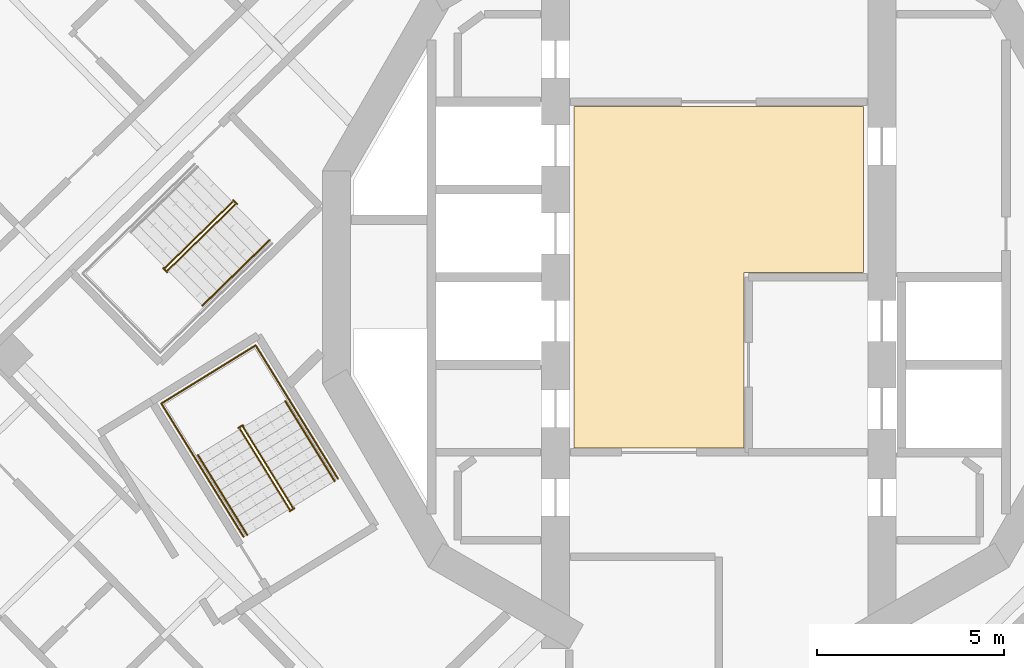
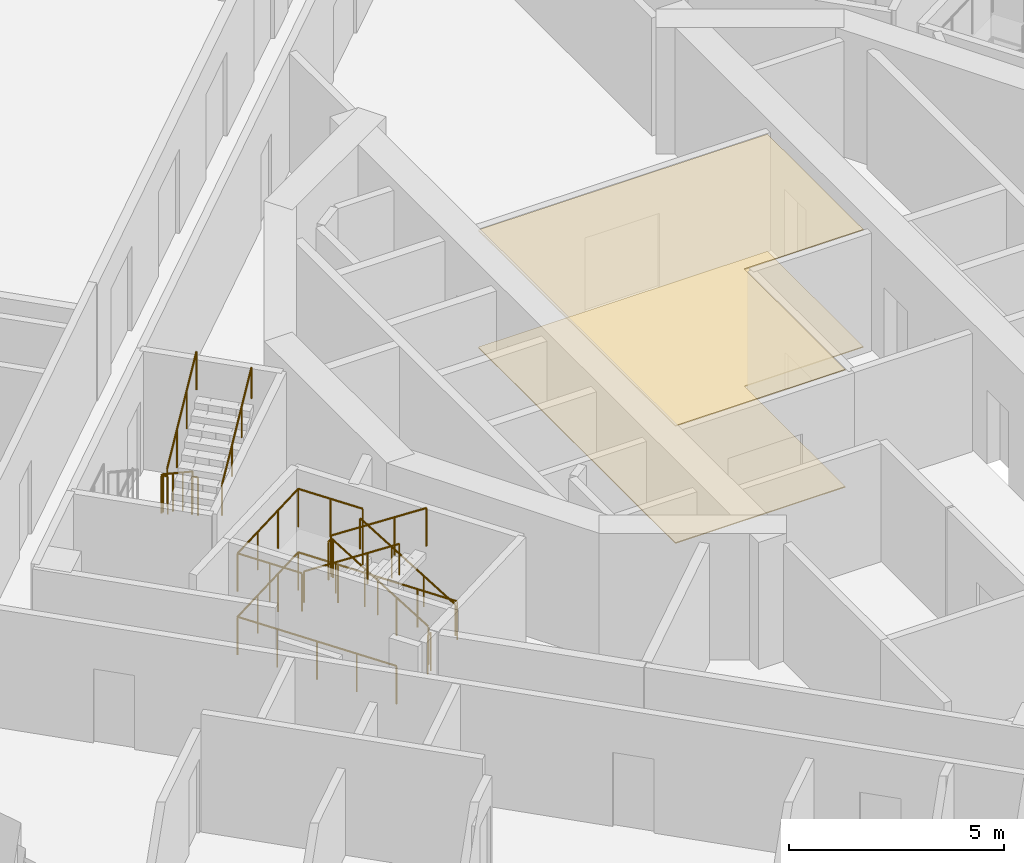
# One storey, part 14 of 19: 11 railings, 2 coverings.
"""IFC4 building model written with IfcOpenShell, lengths in metres."""

from ifc_helpers import new_model, si_unit, direction, frame, origin, origin_2d, place, context, subcontext, project, spatial, polyline, circle, outline, extrude, material, layer, layer_set, type_object, element, save


model = new_model("IFC4")

# Units and contexts
model_context = context("Model", 3, precision=1e-05, world=origin(), true_north=direction((0.0, 1.0)))
body_context = subcontext(model_context, "Body", "Model", "MODEL_VIEW")
ifc_project = project(units=[si_unit("LENGTHUNIT", "METRE"), si_unit("AREAUNIT", "SQUARE_METRE"), si_unit("VOLUMEUNIT", "CUBIC_METRE"), si_unit("PLANEANGLEUNIT", "RADIAN"), si_unit("MASSUNIT", "GRAM", prefix="KILO")], contexts=[model_context])

# Site, building, storey
site_placement = place(None, origin())
site = spatial("IfcSite", under=ifc_project, at=site_placement, CompositionType="ELEMENT")
building_placement = place(site_placement, origin())
building = spatial("IfcBuilding", under=site, at=building_placement, Name="Cantera Rosa Tower", CompositionType="ELEMENT")
storey_placement = place(building_placement, frame((0.0, 0.0, 216.199951171875)))
storey = spatial("IfcBuildingStorey", under=building, at=storey_placement, Name="L46", CompositionType="ELEMENT", Elevation=216.199951171875)

# Railings
ifc_material_1 = material(Name="Steel S355J2 (EN 10025-2)", Category="steel")
railing_type_1 = type_object("IfcRailingType", Name="STAIR GUARD 1100", PredefinedType="GUARDRAIL", material=ifc_material_1)
railing_1_placement = place(storey_placement, frame((-13.032958984375, 2.013427734375, 0.179931640625)))
element("IfcRailing", 1, at=railing_1_placement, inside=storey, type_object=railing_type_1, Name="L46 ST-43 stair guard 1", PredefinedType="GUARDRAIL", context=body_context, shape_type="SweptSolid", body=[
    extrude(circle(Radius=0.02392578125, at=origin_2d()), frame((0.0, 0.0, 1.076171875), z_axis=(-0.601672219931, -0.587818193466, 0.54079599776), x_axis=(0.698823692472, -0.715293958342, 0.0)), (0.0, 0.0, 1.0), 2.995849609375),
    extrude(circle(Radius=0.02392578125, at=origin_2d()), frame((-1.802490234375, -1.760986328125, 2.6962890625), z_axis=(-0.956987977523, -0.290127576896, 0.0), x_axis=(0.290127576896, -0.956987977523, 0.0)), (0.0, 0.0, 1.0), 0.056396484375),
    extrude(circle(Radius=0.02392578125, at=origin_2d()), frame((-1.8564453125, -1.77734375, 2.6962890625), z_axis=(0.698932947801, -0.715187202401, 0.0), x_axis=(0.715187202401, 0.698932947801, 0.0)), (0.0, 0.0, 1.0), 0.150146484375),
    extrude(circle(Radius=0.02099609375, at=origin_2d()), origin(), (0.0, 0.0, 1.0), 1.052001953125),
    extrude(circle(Radius=0.02099609375, at=origin_2d()), frame((-0.600830078125, -0.5869140625, 0.5400390625)), (0.0, 0.0, 1.0), 1.052001953125),
    extrude(circle(Radius=0.02099609375, at=origin_2d()), frame((-1.20166015625, -1.174072265625, 1.080078125)), (0.0, 0.0, 1.0), 1.052001953125),
    extrude(circle(Radius=0.02099609375, at=origin_2d()), frame((-1.802490234375, -1.760986328125, 1.6201171875)), (0.0, 0.0, 1.0), 1.052001953125),
    extrude(circle(Radius=0.02099609375, at=origin_2d()), frame((-1.8564453125, -1.77734375, 1.6201171875)), (0.0, 0.0, 1.0), 1.052001953125),
    extrude(circle(Radius=0.02099609375, at=origin_2d()), frame((-1.75146484375, -1.884765625, 1.6201171875)), (0.0, 0.0, 1.0), 1.052001953125),
])
railing_2_placement = place(storey_placement, frame((-14.766845703125, 0.182373046875, 1.97998046875)))
element("IfcRailing", 2, at=railing_2_placement, inside=storey, type_object=railing_type_1, Name="L46 ST-43 stair guard 2", PredefinedType="GUARDRAIL", context=body_context, shape_type="SweptSolid", body=[
    extrude(circle(Radius=0.02392578125, at=origin_2d()), frame((0.0, 0.0, 1.076171875), z_axis=(0.601672219931, 0.587818193466, 0.54079599776), x_axis=(-0.698823692472, 0.715293958342, 0.0)), (0.0, 0.0, 1.0), 2.995849609375),
    extrude(circle(Radius=0.02099609375, at=origin_2d()), origin(), (0.0, 0.0, 1.0), 1.052001953125),
    extrude(circle(Radius=0.02099609375, at=origin_2d()), frame((0.600830078125, 0.5869140625, 0.5400390625)), (0.0, 0.0, 1.0), 1.052001953125),
    extrude(circle(Radius=0.02099609375, at=origin_2d()), frame((1.20166015625, 1.174072265625, 1.080078125)), (0.0, 0.0, 1.0), 1.052001953125),
    extrude(circle(Radius=0.02099609375, at=origin_2d()), frame((1.802490234375, 1.760986328125, 1.6201171875)), (0.0, 0.0, 1.0), 1.052001953125),
])
railing_3_placement = place(storey_placement, frame((-13.01513671875, 2.06689453125, 0.0)))
element("IfcRailing", 3, at=railing_3_placement, inside=storey, type_object=railing_type_1, Name="L46 ST-43 stair guard 3", PredefinedType="GUARDRAIL", context=body_context, shape_type="SweptSolid", body=[
    extrude(circle(Radius=0.02392578125, at=origin_2d()), frame((0.0, 0.0, 1.076171875), z_axis=(0.698914008722, -0.715205710557, 0.0), x_axis=(0.715205710557, 0.698914008722, 0.0)), (0.0, 0.0, 1.0), 0.14990234375),
    extrude(circle(Radius=0.02099609375, at=origin_2d()), origin(), (0.0, 0.0, 1.0), 1.052001953125),
    extrude(circle(Radius=0.02099609375, at=origin_2d()), frame((0.104736328125, -0.107177734375, 0.0)), (0.0, 0.0, 1.0), 1.052001953125),
])
railing_4_placement = place(storey_placement, frame((-11.42333984375, -6.165771484375, 0.179931640625)))
element("IfcRailing", 4, at=railing_4_placement, inside=storey, type_object=railing_type_1, Name="L46 ST-44 stair guard 1", PredefinedType="GUARDRAIL", context=body_context, shape_type="SweptSolid", body=[
    extrude(circle(Radius=0.02392578125, at=origin_2d()), frame((0.0, 0.0, 1.076171875), z_axis=(-0.441609067481, 0.715913574058, 0.540785711718), x_axis=(-0.851102330005, -0.524999832248, 0.0)), (0.0, 0.0, 1.0), 2.995849609375),
    extrude(circle(Radius=0.02392578125, at=origin_2d()), frame((-1.322998046875, 2.144775390625, 2.6962890625), z_axis=(-0.073711968402, 0.997279572494, 0.0), x_axis=(-0.997279572494, -0.073711968402, 0.0)), (0.0, 0.0, 1.0), 0.056396484375),
    extrude(circle(Radius=0.02392578125, at=origin_2d()), frame((-1.3271484375, 2.200927734375, 2.6962890625), z_axis=(-0.851546489876, -0.524279100842, 0.0), x_axis=(0.524279100842, -0.851546489876, 0.0)), (0.0, 0.0, 1.0), 0.14990234375),
    extrude(circle(Radius=0.02099609375, at=origin_2d()), origin(), (0.0, 0.0, 1.0), 1.052001953125),
    extrude(circle(Radius=0.02099609375, at=origin_2d()), frame((-0.44091796875, 0.71484375, 0.5400390625)), (0.0, 0.0, 1.0), 1.052001953125),
    extrude(circle(Radius=0.02099609375, at=origin_2d()), frame((-0.882080078125, 1.429931640625, 1.080078125)), (0.0, 0.0, 1.0), 1.052001953125),
    extrude(circle(Radius=0.02099609375, at=origin_2d()), frame((-1.322998046875, 2.144775390625, 1.6201171875)), (0.0, 0.0, 1.0), 1.052001953125),
    extrude(circle(Radius=0.02099609375, at=origin_2d()), frame((-1.3271484375, 2.200927734375, 1.6201171875)), (0.0, 0.0, 1.0), 1.052001953125),
    extrude(circle(Radius=0.02099609375, at=origin_2d()), frame((-1.454833984375, 2.122314453125, 1.6201171875)), (0.0, 0.0, 1.0), 1.052001953125),
])
railing_5_placement = place(storey_placement, frame((-12.82958984375, -4.072509765625, 1.97998046875)))
element("IfcRailing", 5, at=railing_5_placement, inside=storey, type_object=railing_type_1, Name="L46 ST-44 stair guard 2", PredefinedType="GUARDRAIL", context=body_context, shape_type="SweptSolid", body=[
    extrude(circle(Radius=0.02392578125, at=origin_2d()), frame((0.0, 0.0, 1.076171875), z_axis=(0.44154346381, -0.715939337315, 0.540805172729), x_axis=(0.851145618652, 0.524929648476, 0.0)), (0.0, 0.0, 1.0), 2.995849609375),
    extrude(circle(Radius=0.02099609375, at=origin_2d()), origin(), (0.0, 0.0, 1.0), 1.052001953125),
    extrude(circle(Radius=0.02099609375, at=origin_2d()), frame((0.44091796875, -0.71484375, 0.5400390625)), (0.0, 0.0, 1.0), 1.052001953125),
    extrude(circle(Radius=0.02099609375, at=origin_2d()), frame((0.8818359375, -1.429931640625, 1.080078125)), (0.0, 0.0, 1.0), 1.052001953125),
    extrude(circle(Radius=0.02099609375, at=origin_2d()), frame((1.32275390625, -2.144775390625, 1.6201171875)), (0.0, 0.0, 1.0), 1.052001953125),
])
railing_6_placement = place(storey_placement, frame((-11.375, -6.19482421875, 0.0)))
element("IfcRailing", 6, at=railing_6_placement, inside=storey, type_object=railing_type_1, Name="L46 ST-44 stair guard 3", PredefinedType="GUARDRAIL", context=body_context, shape_type="SweptSolid", body=[
    extrude(circle(Radius=0.02392578125, at=origin_2d()), frame((0.0, 0.0, 1.076171875), z_axis=(-0.851546489876, -0.524279100842, 0.0), x_axis=(0.524279100842, -0.851546489876, 0.0)), (0.0, 0.0, 1.0), 0.14990234375),
    extrude(circle(Radius=0.02099609375, at=origin_2d()), origin(), (0.0, 0.0, 1.0), 1.052001953125),
    extrude(circle(Radius=0.02099609375, at=origin_2d()), frame((-0.127685546875, -0.07861328125, 0.0)), (0.0, 0.0, 1.0), 1.052001953125),
])
railing_7_placement = place(storey_placement, frame((-10.20751953125, -5.40185546875, 0.0)))
element("IfcRailing", 7, at=railing_7_placement, inside=storey, type_object=railing_type_1, Name="L46 ST-44 stair guard 4", PredefinedType="GUARDRAIL", context=body_context, shape_type="SweptSolid", body=[
    extrude(circle(Radius=0.02392578125, at=origin_2d()), frame((0.0, 0.0, 1.076171875), z_axis=(-0.524976478809, 0.851116735059, 0.0), x_axis=(-0.851116735059, -0.524976478809, 0.0)), (0.0, 0.0, 1.0), 4.197998046875),
    extrude(circle(Radius=0.02392578125, at=origin_2d()), frame((-2.203857421875, 3.572998046875, 1.076171875), z_axis=(-0.851132917336, -0.524950242429, 0.0), x_axis=(0.524950242429, -0.851132917336, 0.0)), (0.0, 0.0, 1.0), 2.969970703125),
    extrude(circle(Radius=0.02392578125, at=origin_2d()), frame((-4.731689453125, 2.013916015625, 1.076171875), z_axis=(0.524976478809, -0.851116735059, 0.0), x_axis=(0.851116735059, 0.524976478809, 0.0)), (0.0, 0.0, 1.0), 4.197998046875),
    extrude(circle(Radius=0.02099609375, at=origin_2d()), origin(), (0.0, 0.0, 1.0), 1.052001953125),
    extrude(circle(Radius=0.02099609375, at=origin_2d()), frame((-0.551025390625, 0.893310546875, 0.0)), (0.0, 0.0, 1.0), 1.052001953125),
    extrude(circle(Radius=0.02099609375, at=origin_2d()), frame((-1.10205078125, 1.78662109375, 0.0)), (0.0, 0.0, 1.0), 1.052001953125),
    extrude(circle(Radius=0.02099609375, at=origin_2d()), frame((-1.65283203125, 2.6796875, 0.0)), (0.0, 0.0, 1.0), 1.052001953125),
    extrude(circle(Radius=0.02099609375, at=origin_2d()), frame((-2.203857421875, 3.572998046875, 0.0)), (0.0, 0.0, 1.0), 1.052001953125),
    extrude(circle(Radius=0.02099609375, at=origin_2d()), frame((-3.04638671875, 3.05322265625, 0.0)), (0.0, 0.0, 1.0), 1.052001953125),
    extrude(circle(Radius=0.02099609375, at=origin_2d()), frame((-3.88916015625, 2.53369140625, 0.0)), (0.0, 0.0, 1.0), 1.052001953125),
    extrude(circle(Radius=0.02099609375, at=origin_2d()), frame((-4.731689453125, 2.013916015625, 0.0)), (0.0, 0.0, 1.0), 1.052001953125),
    extrude(circle(Radius=0.02099609375, at=origin_2d()), frame((-4.1806640625, 1.12060546875, 0.0)), (0.0, 0.0, 1.0), 1.052001953125),
    extrude(circle(Radius=0.02099609375, at=origin_2d()), frame((-3.6298828125, 0.2275390625, 0.0)), (0.0, 0.0, 1.0), 1.052001953125),
    extrude(circle(Radius=0.02099609375, at=origin_2d()), frame((-3.078857421875, -0.665771484375, 0.0)), (0.0, 0.0, 1.0), 1.052001953125),
    extrude(circle(Radius=0.02099609375, at=origin_2d()), frame((-2.52783203125, -1.55908203125, 0.0)), (0.0, 0.0, 1.0), 1.052001953125),
])
railing_8_placement = place(storey_placement, frame((-11.517822265625, -3.27734375, 1.800048828125)))
element("IfcRailing", 8, at=railing_8_placement, inside=storey, type_object=railing_type_1, Name="L46 ST-44 stair guard 5", PredefinedType="GUARDRAIL", context=body_context, shape_type="SweptSolid", body=[
    extrude(circle(Radius=0.02392578125, at=origin_2d()), frame((0.0, 0.0, 1.076171875), z_axis=(-0.525025534833, 0.851086474909, 0.0), x_axis=(-0.851086474909, -0.525025534833, 0.0)), (0.0, 0.0, 1.0), 1.701904296875),
    extrude(circle(Radius=0.02392578125, at=origin_2d()), frame((-0.8935546875, 1.448486328125, 1.076171875), z_axis=(-0.851132917336, -0.524950242429, 0.0), x_axis=(0.524950242429, -0.851132917336, 0.0)), (0.0, 0.0, 1.0), 2.969970703125),
    extrude(circle(Radius=0.02392578125, at=origin_2d()), frame((-3.42138671875, -0.110595703125, 1.076171875), z_axis=(0.524961441845, -0.851126009811, 0.0), x_axis=(0.851126009811, 0.524961441845, 0.0)), (0.0, 0.0, 1.0), 1.7021484375),
    extrude(circle(Radius=0.02099609375, at=origin_2d()), origin(), (0.0, 0.0, 1.0), 1.052001953125),
    extrude(circle(Radius=0.02099609375, at=origin_2d()), frame((-0.44677734375, 0.72412109375, 0.0)), (0.0, 0.0, 1.0), 1.052001953125),
    extrude(circle(Radius=0.02099609375, at=origin_2d()), frame((-0.8935546875, 1.448486328125, 0.0)), (0.0, 0.0, 1.0), 1.052001953125),
    extrude(circle(Radius=0.02099609375, at=origin_2d()), frame((-1.736083984375, 0.9287109375, 0.0)), (0.0, 0.0, 1.0), 1.052001953125),
    extrude(circle(Radius=0.02099609375, at=origin_2d()), frame((-2.578857421875, 0.4091796875, 0.0)), (0.0, 0.0, 1.0), 1.052001953125),
    extrude(circle(Radius=0.02099609375, at=origin_2d()), frame((-3.42138671875, -0.110595703125, 0.0)), (0.0, 0.0, 1.0), 1.052001953125),
    extrude(circle(Radius=0.02099609375, at=origin_2d()), frame((-2.974609375, -0.8349609375, 0.0)), (0.0, 0.0, 1.0), 1.052001953125),
    extrude(circle(Radius=0.02099609375, at=origin_2d()), frame((-2.52783203125, -1.559326171875, 0.0)), (0.0, 0.0, 1.0), 1.052001953125),
])
ifc_material_2 = material(Name="Steel S355J2 (EN 10025-2)", Category="steel")
railing_type_2 = type_object("IfcRailingType", Name="STAIR HANDRAIL 900", PredefinedType="HANDRAIL", material=ifc_material_2)
railing_9_placement = place(storey_placement, frame((-13.84033203125, -0.76611328125, 1.97998046875)))
element("IfcRailing", 9, at=railing_9_placement, inside=storey, type_object=railing_type_2, Name="L46 ST-43 stair handrail 2", PredefinedType="HANDRAIL", context=body_context, shape_type="SweptSolid", body=[
    extrude(circle(Radius=0.02392578125, at=origin_2d()), frame((0.0, 0.0, 0.8759765625), z_axis=(0.601724208683, 0.587789371239, 0.540769481151), x_axis=(-0.698775265409, 0.715341267126, 0.0)), (0.0, 0.0, 1.0), 2.995849609375),
    extrude(circle(Radius=0.02099609375, at=origin_2d()), origin(), (0.0, 0.0, 1.0), 0.851806640625),
    extrude(circle(Radius=0.02099609375, at=origin_2d()), frame((0.600830078125, 0.5869140625, 0.5400390625)), (0.0, 0.0, 1.0), 0.851806640625),
    extrude(circle(Radius=0.02099609375, at=origin_2d()), frame((1.201904296875, 1.174072265625, 1.080078125)), (0.0, 0.0, 1.0), 0.851806640625),
    extrude(circle(Radius=0.02099609375, at=origin_2d()), frame((1.802734375, 1.760986328125, 1.6201171875)), (0.0, 0.0, 1.0), 0.851806640625),
])
railing_10_placement = place(storey_placement, frame((-10.294677734375, -5.4697265625, 0.179931640625)))
element("IfcRailing", 10, at=railing_10_placement, inside=storey, type_object=railing_type_2, Name="L46 ST-44 stair handrail 1", PredefinedType="HANDRAIL", context=body_context, shape_type="SweptSolid", body=[
    extrude(circle(Radius=0.02392578125, at=origin_2d()), frame((0.0, 0.0, 0.8759765625), z_axis=(-0.441609067481, 0.715913574058, 0.540785711718), x_axis=(-0.851102330005, -0.524999832248, 0.0)), (0.0, 0.0, 1.0), 2.995849609375),
    extrude(circle(Radius=0.02099609375, at=origin_2d()), origin(), (0.0, 0.0, 1.0), 0.851806640625),
    extrude(circle(Radius=0.02099609375, at=origin_2d()), frame((-0.44091796875, 0.71484375, 0.5400390625)), (0.0, 0.0, 1.0), 0.851806640625),
    extrude(circle(Radius=0.02099609375, at=origin_2d()), frame((-0.882080078125, 1.429931640625, 1.080078125)), (0.0, 0.0, 1.0), 0.851806640625),
    extrude(circle(Radius=0.02099609375, at=origin_2d()), frame((-1.322998046875, 2.144775390625, 1.6201171875)), (0.0, 0.0, 1.0), 0.851806640625),
])
railing_11_placement = place(storey_placement, frame((-13.958251953125, -4.7685546875, 1.97998046875)))
element("IfcRailing", 11, at=railing_11_placement, inside=storey, type_object=railing_type_2, Name="L46 ST-44 stair handrail 2", PredefinedType="HANDRAIL", context=body_context, shape_type="SweptSolid", body=[
    extrude(circle(Radius=0.02392578125, at=origin_2d()), frame((0.0, 0.0, 0.8759765625), z_axis=(0.441609067481, -0.715913574058, 0.540785711718), x_axis=(0.851102330005, 0.524999832248, 0.0)), (0.0, 0.0, 1.0), 2.995849609375),
    extrude(circle(Radius=0.02099609375, at=origin_2d()), origin(), (0.0, 0.0, 1.0), 0.851806640625),
    extrude(circle(Radius=0.02099609375, at=origin_2d()), frame((0.44091796875, -0.71484375, 0.5400390625)), (0.0, 0.0, 1.0), 0.851806640625),
    extrude(circle(Radius=0.02099609375, at=origin_2d()), frame((0.882080078125, -1.429931640625, 1.080078125)), (0.0, 0.0, 1.0), 0.851806640625),
    extrude(circle(Radius=0.02099609375, at=origin_2d()), frame((1.322998046875, -2.144775390625, 1.6201171875)), (0.0, 0.0, 1.0), 0.851806640625),
])

# Coverings
ifc_material_3 = material(Name="Limestone paving", Category="masonry")
ifc_layer_1 = layer(ifc_material_3, 0.02490234375)
ifc_layer_set_1 = layer_set([ifc_layer_1], Name="STONE FLOOR FINISH 25")
covering_type_1 = type_object("IfcCoveringType", Name="STONE FLOOR FINISH 25", PredefinedType="FLOORING", material=ifc_layer_set_1)
covering_1_placement = place(storey_placement, origin())
element("IfcCovering", 12, at=covering_1_placement, inside=storey, type_object=covering_type_1, Name="STONE FLOOR FINISH L46", PredefinedType="FLOORING", context=body_context, shape_type="SweptSolid", body=[
    extrude(outline(polyline([(3.8798828125, 4.580078125), (3.8798828125, 0.1201171875), (0.679931640625, 0.1201171875), (0.679931640625, -4.580078125), (-3.8798828125, -4.580078125), (-3.8798828125, 4.580078125), (3.8798828125, 4.580078125)])), origin(), (0.0, 0.0, 1.0), 0.025146484375),
])
ifc_material_4 = material(Name="Gypsum ceiling tile")
ifc_layer_2 = layer(ifc_material_4, 0.030029296875)
ifc_layer_set_2 = layer_set([ifc_layer_2], Name="SUSPENDED CEILING 30")
covering_type_2 = type_object("IfcCoveringType", Name="SUSPENDED CEILING 30", PredefinedType="CEILING", material=ifc_layer_set_2)
covering_2_placement = place(storey_placement, frame((0.0, 0.0, 3.320068359375)))
element("IfcCovering", 13, at=covering_2_placement, inside=storey, type_object=covering_type_2, Name="SUSPENDED CEILING L46", PredefinedType="CEILING", context=body_context, shape_type="SweptSolid", body=[
    extrude(outline(polyline([(3.8798828125, 4.580078125), (3.8798828125, 0.1201171875), (0.679931640625, 0.1201171875), (0.679931640625, -4.580078125), (-3.8798828125, -4.580078125), (-3.8798828125, 4.580078125), (3.8798828125, 4.580078125)])), origin(), (0.0, 0.0, 1.0), 0.030029296875),
])

save(model, "model.ifc")
